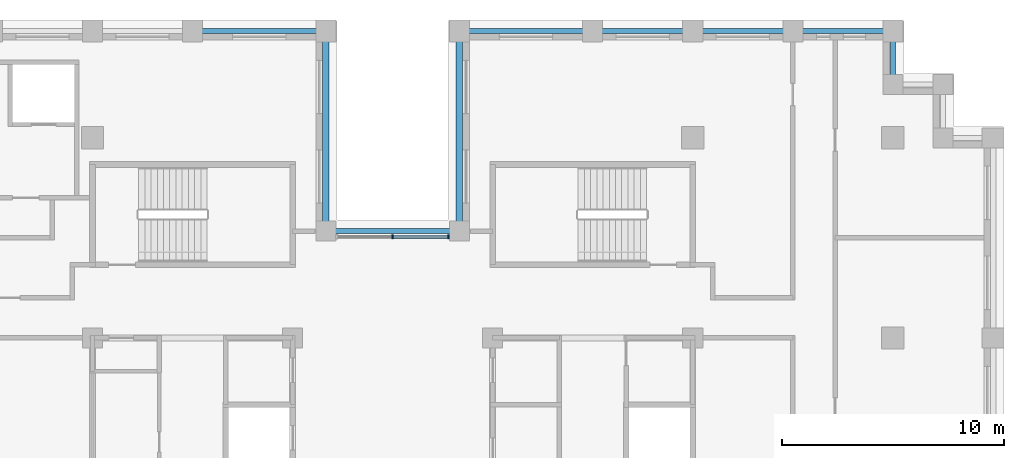
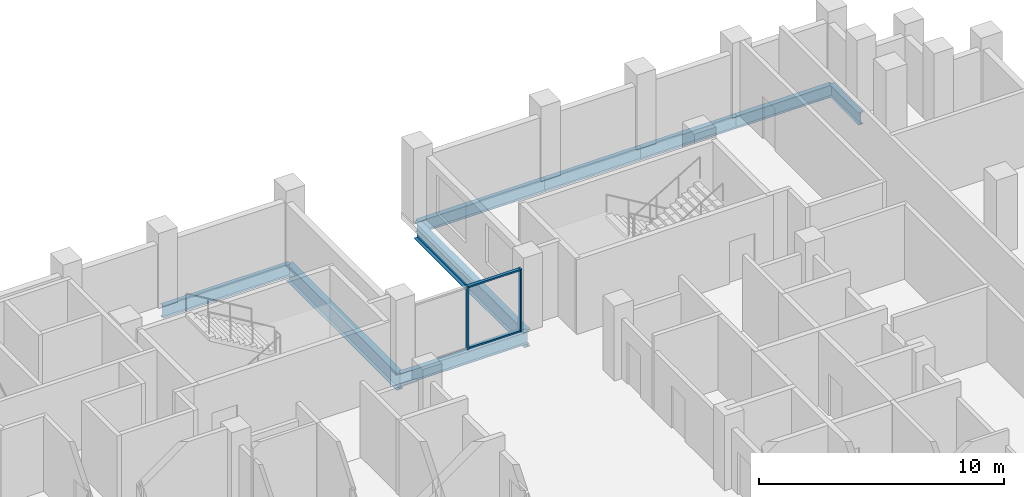
# One storey, part 4 of 15: 9 beams, 4 members, 1 element without a shape of its own.
"""IFC4 building model written with IfcOpenShell, lengths in metres."""

import ifcopenshell
import ifcopenshell.guid

model = None  # the IFC model being written
_history = None  # IfcOwnerHistory: only IFC2X3 demands one
_inside = {}  # id of a spatial element -> (the spatial element, [elements in it])
_under = {}  # id of a project, library or spatial element -> (it, [spatial elements below it])
_declared = {}  # id of a project -> (the project, [libraries it declares])
_typed = {}  # id of a type object -> (the type object, [elements of that type])
_made_of = {}  # id of a material, layer set ... -> (it, [elements and type objects made of it])


def new_model(schema):
    """Start an empty IFC model of exactly this schema.

    Asked for "IFC4X3", IfcOpenShell would pick the latest addendum, in which some entities
    have other attributes; the version numbers below select the first issue.
    IFC2X3 requires an IfcOwnerHistory on every rooted entity: one is made here for all.
    """
    global model, _history
    if schema == "IFC4X3":
        model = ifcopenshell.file(schema_version=(4, 3, 0, 0))
    else:
        model = ifcopenshell.file(schema=schema)
    _inside.clear()
    _under.clear()
    _declared.clear()
    _typed.clear()
    _made_of.clear()
    _history = None
    if model.schema == "IFC2X3":
        org = make("IfcOrganization", Name="unknown")
        user = make(
            "IfcPersonAndOrganization",
            ThePerson=make("IfcPerson", FamilyName="unknown"),
            TheOrganization=org,
        )
        app = make(
            "IfcApplication",
            ApplicationDeveloper=org,
            Version="unknown",
            ApplicationFullName="unknown",
            ApplicationIdentifier="unknown",
        )
        _history = make(
            "IfcOwnerHistory",
            OwningUser=user,
            OwningApplication=app,
            ChangeAction="ADDED",
            CreationDate=0,
        )
    return model


def make(cls, **values):
    """One entity of the class cls with the attributes given. An attribute that is None is left unset."""
    return model.create_entity(
        cls, **{name: value for name, value in values.items() if value is not None}
    )


def rooted(cls, **values):
    """An entity with a GlobalId (a new one), such as an element, a storey or a relation."""
    return make(cls, GlobalId=ifcopenshell.guid.new(), OwnerHistory=_history, **values)


def si_unit(unit_type, name, prefix=None):
    """IfcSIUnit, for example si_unit("LENGTHUNIT", "METRE", prefix="MILLI")."""
    return make("IfcSIUnit", UnitType=unit_type, Prefix=prefix, Name=name)


def assignment(units):
    """IfcUnitAssignment: the units of a project."""
    return None if units is None else make("IfcUnitAssignment", Units=units)


def point(xyz):
    """IfcCartesianPoint."""
    return None if xyz is None else make("IfcCartesianPoint", Coordinates=xyz)


def direction(xyz):
    """IfcDirection."""
    return None if xyz is None else make("IfcDirection", DirectionRatios=xyz)


def frame(location, z_axis=None, x_axis=None):
    """IfcAxis2Placement3D, a coordinate frame: its origin and axes. An axis left out is left unset."""
    return make(
        "IfcAxis2Placement3D",
        Location=point(location),
        Axis=direction(z_axis),
        RefDirection=direction(x_axis),
    )


def frame_2d(location, x_axis=None):
    """IfcAxis2Placement2D, a coordinate frame in the plane: its origin and x axis."""
    return make(
        "IfcAxis2Placement2D", Location=point(location), RefDirection=direction(x_axis)
    )


def origin():
    """The frame at (0, 0, 0) with its axes left unset."""
    return frame((0.0, 0.0, 0.0))


def origin_2d():
    """The frame at (0, 0) in the plane with its x axis left unset."""
    return frame_2d((0.0, 0.0))


def place(relative_to, where):
    """IfcLocalPlacement: puts the frame where relative to a parent placement (None: the world)."""
    return make(
        "IfcLocalPlacement", PlacementRelTo=relative_to, RelativePlacement=where
    )


def context(
    kind, dimensions, precision=None, world=None, true_north=None, identifier=None
):
    """IfcGeometricRepresentationContext, for example the 3D "Model" context."""
    return make(
        "IfcGeometricRepresentationContext",
        ContextIdentifier=identifier,
        ContextType=kind,
        CoordinateSpaceDimension=dimensions,
        Precision=precision,
        WorldCoordinateSystem=world,
        TrueNorth=true_north,
    )


def subcontext(parent, identifier, kind, view, scale=None):
    """IfcGeometricRepresentationSubContext, for example "Body" below "Model"."""
    return make(
        "IfcGeometricRepresentationSubContext",
        ContextIdentifier=identifier,
        ContextType=kind,
        ParentContext=parent,
        TargetScale=scale,
        TargetView=view,
    )


def project(units=None, contexts=None):
    """IfcProject with its units and contexts."""
    return rooted(
        "IfcProject",
        Name="project",
        RepresentationContexts=contexts,
        UnitsInContext=assignment(units),
    )


def spatial(cls, under=None, at=None, **own):
    """A site, building, storey or space (cls), placed at a placement, below another one or the project."""
    s = rooted(cls, ObjectPlacement=at, **own)
    if under is not None:
        _under.setdefault(under.id(), (under, []))[1].append(s)
    return s


def profile(cls, at=None, kind="AREA", **sizes):
    """A parametric profile (cls). Its sizes go by their IFC names, for example OverallWidth=200.0."""
    return make(cls, ProfileType=kind, Position=at, **sizes)


def rectangle(**sizes):
    """IfcRectangleProfileDef."""
    return profile("IfcRectangleProfileDef", **sizes)


def i_section(**sizes):
    """IfcIShapeProfileDef."""
    return profile("IfcIShapeProfileDef", **sizes)


def extrude(swept, where, along, depth):
    """IfcExtrudedAreaSolid: the profile swept, set in the frame where, extruded along a direction by depth."""
    return make(
        "IfcExtrudedAreaSolid",
        SweptArea=swept,
        Position=where,
        ExtrudedDirection=direction(along),
        Depth=depth,
    )


def shape(context_of_items, identifier, shape_type, items):
    """IfcShapeRepresentation: the items that make up one representation, for example the "Body"."""
    return make(
        "IfcShapeRepresentation",
        ContextOfItems=context_of_items,
        RepresentationIdentifier=identifier,
        RepresentationType=shape_type,
        Items=items,
    )


def material(Name=None, Category=None):
    """IfcMaterial."""
    return make("IfcMaterial", Name=Name, Category=Category)


def layer(
    of_material, thickness, ventilated=None, Name=None, Category=None, Priority=None
):
    """IfcMaterialLayer: one layer of a wall or slab, of a material (None: an air gap)."""
    return make(
        "IfcMaterialLayer",
        Material=of_material,
        LayerThickness=thickness,
        IsVentilated=ventilated,
        Name=Name,
        Category=Category,
        Priority=Priority,
    )


def layer_set(layers, Name=None):
    """IfcMaterialLayerSet."""
    return make("IfcMaterialLayerSet", MaterialLayers=layers, LayerSetName=Name)


def material_profile(
    of_material, cross_section, Name=None, Category=None, Priority=None
):
    """IfcMaterialProfile: a cross section and its material."""
    return make(
        "IfcMaterialProfile",
        Name=Name,
        Material=of_material,
        Profile=cross_section,
        Priority=Priority,
        Category=Category,
    )


def profile_set(profiles, Name=None, composite=None):
    """IfcMaterialProfileSet."""
    return make(
        "IfcMaterialProfileSet",
        Name=Name,
        MaterialProfiles=profiles,
        CompositeProfile=composite,
    )


def made_of(thing, what):
    """Note that an element or type object is made of a material, layer set ...; save() writes the relation."""
    if what is not None:
        _made_of.setdefault(what.id(), (what, []))[1].append(thing)
    return thing


def type_object(cls, material=None, **own):
    """A type object (cls), such as IfcWallType, which elements share."""
    return made_of(rooted(cls, **own), material)


def element(
    cls,
    number,
    at=None,
    inside=None,
    cuts=None,
    type_object=None,
    material=None,
    context=None,
    identifier="Body",
    shape_type=None,
    held_by="IfcProductDefinitionShape",
    body=None,
    shapes=None,
    **own,
):
    """One element of the class cls, such as IfcWall. Its Tag is "e" and its number.

    at: its placement. inside: the storey or other place that contains it. cuts: it is an
    opening in that element (IfcRelVoidsElement). A single representation is given by context,
    identifier, shape_type and body (its items); several are given by shapes. held_by: the class
    of the entity that holds the representations. save() writes the other relations.
    """
    e = rooted(cls, Tag="e%d" % number, ObjectPlacement=at, **own)
    if body is not None:
        shapes = [shape(context, identifier, shape_type, body)]
    if shapes is not None:
        e.Representation = make(held_by, Representations=shapes)
    if inside is not None:
        _inside.setdefault(inside.id(), (inside, []))[1].append(e)
    if cuts is not None:
        rooted(
            "IfcRelVoidsElement", RelatingBuildingElement=cuts, RelatedOpeningElement=e
        )
    if type_object is not None:
        _typed.setdefault(type_object.id(), (type_object, []))[1].append(e)
    return made_of(e, material)


def aggregate(whole, parts):
    """IfcRelAggregates: a whole, such as a stair, and the parts it consists of."""
    return rooted("IfcRelAggregates", RelatingObject=whole, RelatedObjects=parts)


def save(model, path):
    """Write the relations noted so far, then the file.

    IfcRelAggregates (storeys below a building ...), IfcRelContainedInSpatialStructure (elements
    in a storey), IfcRelDefinesByType, IfcRelAssociatesMaterial and IfcRelDeclares: one each for
    every whole, place, type object, material and project.
    """
    for whole, parts in _under.values():
        aggregate(whole, parts)
    for where, things in _inside.values():
        rooted(
            "IfcRelContainedInSpatialStructure",
            RelatedElements=things,
            RelatingStructure=where,
        )
    for kind, things in _typed.values():
        rooted("IfcRelDefinesByType", RelatedObjects=things, RelatingType=kind)
    for what, things in _made_of.values():
        rooted("IfcRelAssociatesMaterial", RelatedObjects=things, RelatingMaterial=what)
    for by, libraries in _declared.values():
        rooted("IfcRelDeclares", RelatingContext=by, RelatedDefinitions=libraries)
    model.write(path)


model = new_model("IFC4")

# Units and contexts
model_context = context("Model", 3, precision=1e-05, world=origin(), true_north=direction((0.0, 1.0)))
body_context = subcontext(model_context, "Body", "Model", "MODEL_VIEW")
ifc_project = project(units=[si_unit("LENGTHUNIT", "METRE"), si_unit("AREAUNIT", "SQUARE_METRE"), si_unit("VOLUMEUNIT", "CUBIC_METRE"), si_unit("PLANEANGLEUNIT", "RADIAN"), si_unit("MASSUNIT", "GRAM", prefix="KILO")], contexts=[model_context])

# Site, building, storey
site_placement = place(None, origin())
site = spatial("IfcSite", under=ifc_project, at=site_placement, CompositionType="ELEMENT")
building_placement = place(site_placement, origin())
building = spatial("IfcBuilding", under=site, at=building_placement, Name="Corbelhall Arena Tower", CompositionType="ELEMENT")
storey_placement = place(building_placement, frame((0.0, 0.0, 224.0)))
storey = spatial("IfcBuildingStorey", under=building, at=storey_placement, Name="L47", CompositionType="ELEMENT", Elevation=224.0)

# Curtain wall, members
ifc_material_1 = material(Name="Aluminium black anodised", Category="aluminium")
ifc_layer = layer(ifc_material_1, 0.199951171875)
ifc_layer_set = layer_set([ifc_layer], Name="EV-CW1 Slot back wall")
curtain_wall_type = type_object("IfcCurtainWallType", Name="EV-CW1 Slot back wall", PredefinedType="NOTDEFINED", material=ifc_layer_set)
curtain_wall_placement = place(storey_placement, origin())
curtain_wall = element("IfcCurtainWall", 1, at=curtain_wall_placement, inside=storey, type_object=curtain_wall_type, Name="Curtain wall CW1", PredefinedType="NOTDEFINED")
ifc_material_profile_1 = material_profile(ifc_material_1, rectangle(XDim=0.199951171875, YDim=0.074951171875, at=origin_2d()))
ifc_profile_set_1 = profile_set([ifc_material_profile_1], Name="Aluminium black anodised")
member_type_1 = type_object("IfcMemberType", Name="EV-CW1-MULLION", PredefinedType="MULLION", material=ifc_profile_set_1)
member_1_placement = place(storey_placement, frame((2.512451171875, 13.550048828125, 0.0), z_axis=(0.0, 0.0, 1.0), x_axis=(0.0, -1.0, 0.0)))
member_1 = element("IfcMember", 2, at=member_1_placement, type_object=member_type_1, Name="CW1 mullion 1", PredefinedType="MULLION", context=body_context, shape_type="SweptSolid", body=[
    extrude(rectangle(XDim=0.199951171875, YDim=0.074951171875, at=origin_2d()), origin(), (0.0, 0.0, 1.0), 3.1201171875),
])
member_2_placement = place(storey_placement, frame((0.0, 13.550048828125, 0.0), z_axis=(0.0, 0.0, 1.0), x_axis=(0.0, -1.0, 0.0)))
member_2 = element("IfcMember", 3, at=member_2_placement, type_object=member_type_1, Name="CW1 mullion 2", PredefinedType="MULLION", context=body_context, shape_type="SweptSolid", body=[
    extrude(rectangle(XDim=0.199951171875, YDim=0.074951171875, at=origin_2d()), origin(), (0.0, 0.0, 1.0), 3.1201171875),
])
ifc_material_profile_2 = material_profile(ifc_material_1, rectangle(XDim=0.14990234375, YDim=0.074951171875, at=origin_2d()))
ifc_profile_set_2 = profile_set([ifc_material_profile_2], Name="Aluminium black anodised")
member_type_2 = type_object("IfcMemberType", Name="EV-CW1-TRANSOM", PredefinedType="USERDEFINED", material=ifc_profile_set_2)
member_3_placement = place(storey_placement, frame((2.47509765625, 13.550048828125, 0.03759765625), z_axis=(-1.0, 0.0, 0.0), x_axis=(0.0, -1.0, 0.0)))
member_3 = element("IfcMember", 4, at=member_3_placement, type_object=member_type_2, Name="CW1 transom 1.1", ObjectType="transom", PredefinedType="USERDEFINED", context=body_context, shape_type="SweptSolid", body=[
    extrude(rectangle(XDim=0.14990234375, YDim=0.074951171875, at=origin_2d()), origin(), (0.0, 0.0, 1.0), 2.4375),
])
member_4_placement = place(storey_placement, frame((2.47509765625, 13.550048828125, 3.08251953125), z_axis=(-1.0, 0.0, 0.0), x_axis=(0.0, -1.0, 0.0)))
member_4 = element("IfcMember", 5, at=member_4_placement, type_object=member_type_2, Name="CW1 transom 1.2", ObjectType="transom", PredefinedType="USERDEFINED", context=body_context, shape_type="SweptSolid", body=[
    extrude(rectangle(XDim=0.14990234375, YDim=0.074951171875, at=origin_2d()), origin(), (0.0, 0.0, 1.0), 2.4375),
])
aggregate(curtain_wall, [member_1, member_2, member_3, member_4])

# Beams
ifc_material_2 = material(Name="Steel ASTM A992 Gr50", Category="steel")
ifc_material_profile_3 = material_profile(ifc_material_2, i_section(OverallWidth=0.228271484375, OverallDepth=0.607177734375, WebThickness=0.01123046875, FlangeThickness=0.017333984375, at=origin_2d()))
ifc_profile_set_3 = profile_set([ifc_material_profile_3], Name="Steel ASTM A992 Gr50")
beam_type_1 = type_object("IfcBeamType", Name="ST-SPANDREL-W24x76", PredefinedType="SPANDREL", material=ifc_profile_set_3)
beam_1_placement = place(storey_placement, frame((3.0, 22.800048828125, -0.58349609375), z_axis=(1.0, 0.0, 0.0), x_axis=(0.0, 1.0, 0.0)))
element("IfcBeam", 6, at=beam_1_placement, inside=storey, type_object=beam_type_1, Name="Beam SP 13", PredefinedType="SPANDREL", context=body_context, shape_type="SweptSolid", body=[
    extrude(i_section(OverallWidth=0.228271484375, OverallDepth=0.607177734375, WebThickness=0.01123046875, FlangeThickness=0.017333984375, at=origin_2d()), origin(), (0.0, 0.0, 1.0), 6.0),
])
for number, where, z_axis, x_axis, name in (
    (7, (9.0, 22.800048828125, -0.58349609375), (1.0, 0.0, 0.0), (0.0, 1.0, 0.0), "Beam SP 14"),
    (8, (13.5, 22.800048828125, -0.58349609375), (1.0, 0.0, 0.0), (0.0, 1.0, 0.0), "Beam SP 15"),
    (9, (18.0, 22.800048828125, -0.58349609375), (1.0, 0.0, 0.0), (0.0, 1.0, 0.0), "Beam SP 16"),
):
    element("IfcBeam", number, at=place(storey_placement, frame(where, z_axis=z_axis, x_axis=x_axis)), inside=storey, type_object=beam_type_1, Name=name, PredefinedType="SPANDREL", context=body_context, shape_type="SweptSolid", body=[
        extrude(i_section(OverallWidth=0.228271484375, OverallDepth=0.607177734375, WebThickness=0.01123046875, FlangeThickness=0.017333984375, at=origin_2d()), origin(), (0.0, 0.0, 1.0), 4.5),
    ])
beam_2_placement = place(storey_placement, frame((22.5, 22.800048828125, -0.58349609375), z_axis=(0.0, -1.0, 0.0), x_axis=(1.0, 0.0, 0.0)))
element("IfcBeam", 10, at=beam_2_placement, inside=storey, type_object=beam_type_1, Name="Beam SP 17", PredefinedType="SPANDREL", context=body_context, shape_type="SweptSolid", body=[
    extrude(i_section(OverallWidth=0.228271484375, OverallDepth=0.607177734375, WebThickness=0.01123046875, FlangeThickness=0.017333984375, at=origin_2d()), origin(), (0.0, 0.0, 1.0), 2.400146484375),
])
for number, where, z_axis, x_axis, name in (
    (11, (-9.0, 22.800048828125, -0.58349609375), (1.0, 0.0, 0.0), (0.0, 1.0, 0.0), "Beam SP 19"),
    (12, (-3.0, 13.800048828125, -0.58349609375), (1.0, 0.0, 0.0), (0.0, 1.0, 0.0), "Beam SP 36"),
):
    element("IfcBeam", number, at=place(storey_placement, frame(where, z_axis=z_axis, x_axis=x_axis)), inside=storey, type_object=beam_type_1, Name=name, PredefinedType="SPANDREL", context=body_context, shape_type="SweptSolid", body=[
        extrude(i_section(OverallWidth=0.228271484375, OverallDepth=0.607177734375, WebThickness=0.01123046875, FlangeThickness=0.017333984375, at=origin_2d()), origin(), (0.0, 0.0, 1.0), 6.0),
    ])
ifc_material_profile_4 = material_profile(ifc_material_2, i_section(OverallWidth=0.2919921875, OverallDepth=0.845703125, WebThickness=0.015380859375, FlangeThickness=0.0244140625, at=origin_2d()))
ifc_profile_set_4 = profile_set([ifc_material_profile_4], Name="Steel ASTM A992 Gr50")
beam_type_2 = type_object("IfcBeamType", Name="ST-SPANDREL-W33x141", PredefinedType="SPANDREL", material=ifc_profile_set_4)
for number, where, z_axis, x_axis, name in (
    (13, (-3.0, 22.800048828125, -0.702880859375), (0.0, -1.0, 0.0), (1.0, 0.0, 0.0), "Beam SP 18"),
    (14, (3.0, 13.800048828125, -0.702880859375), (0.0, 1.0, 0.0), (-1.0, 0.0, 0.0), "Beam SP 35"),
):
    element("IfcBeam", number, at=place(storey_placement, frame(where, z_axis=z_axis, x_axis=x_axis)), inside=storey, type_object=beam_type_2, Name=name, PredefinedType="SPANDREL", context=body_context, shape_type="SweptSolid", body=[
        extrude(i_section(OverallWidth=0.2919921875, OverallDepth=0.845703125, WebThickness=0.015380859375, FlangeThickness=0.0244140625, at=origin_2d()), origin(), (0.0, 0.0, 1.0), 9.0),
    ])

save(model, "model.ifc")
